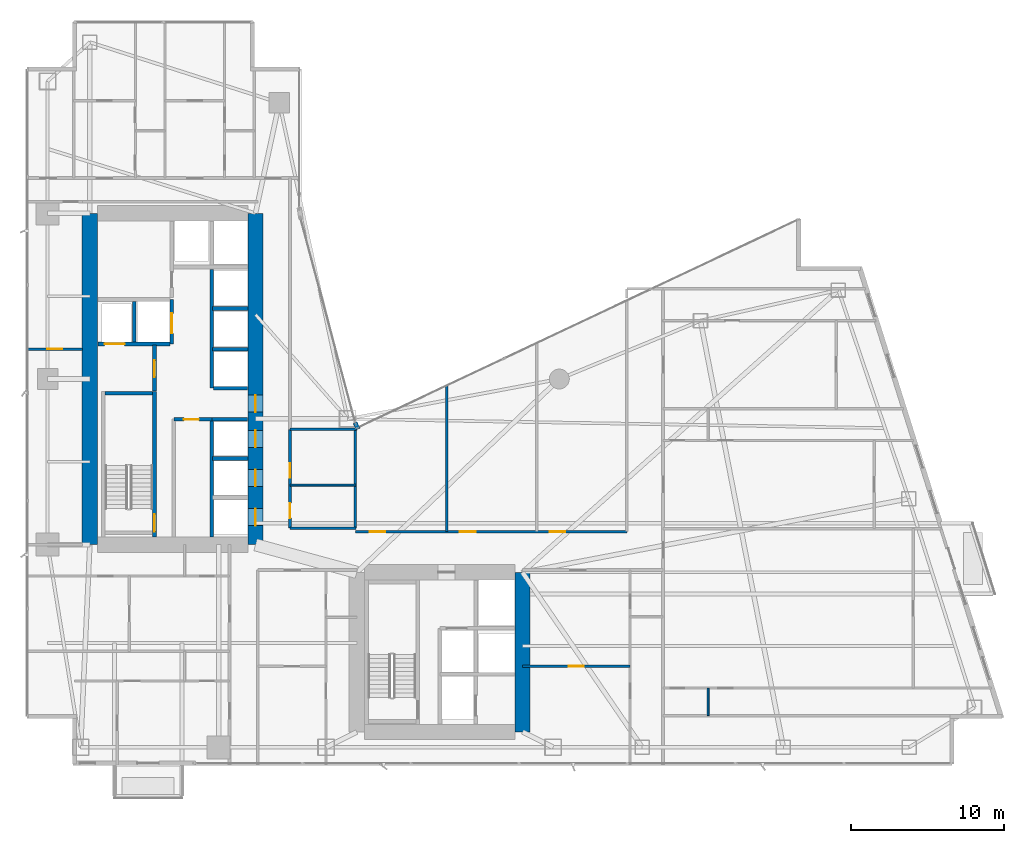
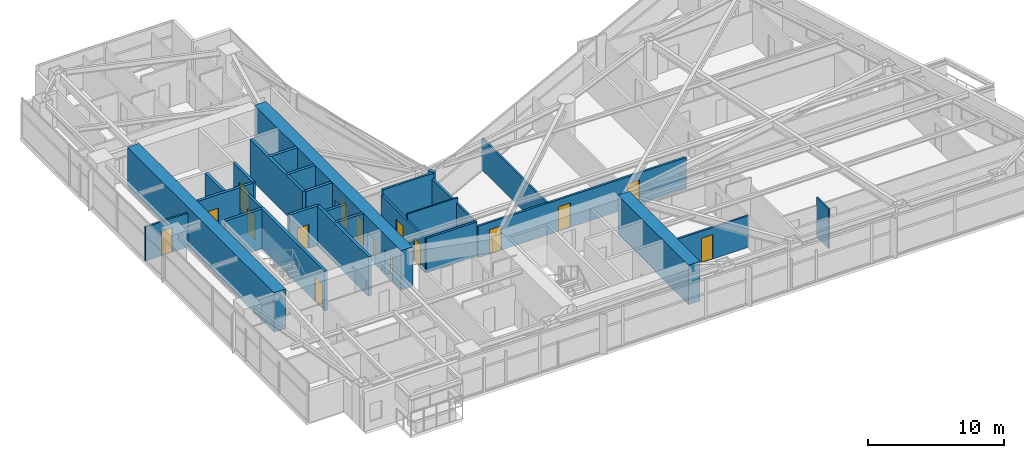
# One storey, part 23 of 29: 28 walls, 16 doors, 16 openings.
"""IFC4 building model written with IfcOpenShell, lengths in metres."""

from ifc_helpers import new_model, si_unit, direction, frame, frame_2d, origin, place, context, subcontext, project, spatial, rectangle, extrude, material, layer, layer_set, type_object, element, fill, save


model = new_model("IFC4")

# Units and contexts
model_context = context("Model", 3, precision=1e-05, world=origin(), true_north=direction((0.0, 1.0)))
body_context = subcontext(model_context, "Body", "Model", "MODEL_VIEW")
ifc_project = project(units=[si_unit("LENGTHUNIT", "METRE"), si_unit("AREAUNIT", "SQUARE_METRE"), si_unit("VOLUMEUNIT", "CUBIC_METRE"), si_unit("PLANEANGLEUNIT", "RADIAN"), si_unit("MASSUNIT", "GRAM", prefix="KILO")], contexts=[model_context])

# Site, building, storey
site_placement = place(None, origin())
site = spatial("IfcSite", under=ifc_project, at=site_placement, CompositionType="ELEMENT")
building_placement = place(site_placement, origin())
building = spatial("IfcBuilding", under=site, at=building_placement, Name="Calvorn Quay Hotel", CompositionType="ELEMENT")
storey_placement = place(building_placement, frame((0.0, 0.0, 58.39990234375)))
storey = spatial("IfcBuildingStorey", under=building, at=storey_placement, Name="L13", CompositionType="ELEMENT", Elevation=58.39990234375)

# Wall
ifc_material_1 = material(Name="Concrete C60", Category="concrete")
ifc_layer_1 = layer(ifc_material_1, 1.0)
ifc_layer_set_1 = layer_set([ifc_layer_1], Name="WL-CORE-1000")
wall_type_1 = type_object("IfcWallType", Name="WL-CORE-1000", PredefinedType="SHEAR", material=ifc_layer_set_1)
wall_1_placement = place(storey_placement, frame((4.199951171875, 16.800048828125, 0.0), z_axis=(0.0, 0.0, 1.0), x_axis=(0.0, 1.0, 0.0)))
element("IfcWall", 1, at=wall_1_placement, inside=storey, type_object=wall_type_1, Name="West Core Shear Wall W (L13)", PredefinedType="SHEAR", context=body_context, shape_type="SweptSolid", body=[
    extrude(rectangle(XDim=21.599853515625, YDim=1.0, at=frame_2d((10.7998046875, 0.0))), origin(), (0.0, 0.0, 1.0), 3.56005859375),
])

# Wall, openings, doors
wall_2_placement = place(storey_placement, frame((15.0, 16.800048828125, 0.0), z_axis=(0.0, 0.0, 1.0), x_axis=(0.0, 1.0, 0.0)))
wall_2 = element("IfcWall", 2, at=wall_2_placement, inside=storey, type_object=wall_type_1, Name="West Core Shear Wall E (L13)", PredefinedType="SHEAR", context=body_context, shape_type="SweptSolid", body=[
    extrude(rectangle(XDim=21.599853515625, YDim=1.0, at=frame_2d((10.7998046875, 0.0))), origin(), (0.0, 0.0, 1.0), 3.56005859375),
])
opening_1_placement = place(wall_2_placement, frame((8.64990234375, 0.0, 0.0)))
opening_1 = element("IfcOpeningElement", 3, at=opening_1_placement, cuts=wall_2, Name="Opening D-L13-CW1", PredefinedType="OPENING", context=body_context, shape_type="SweptSolid", body=[
    extrude(rectangle(XDim=1.10009765625, YDim=2.199951171875, at=frame_2d((0.550048828125, 1.10009765625))), frame((0.0, 0.510009765625, 0.0), z_axis=(0.0, -1.0, 0.0), x_axis=(1.0, 0.0, 0.0)), (0.0, 0.0, 1.0), 1.02001953125),
])
opening_2_placement = place(wall_2_placement, frame((1.25, 0.0, 0.0)))
opening_2 = element("IfcOpeningElement", 4, at=opening_2_placement, cuts=wall_2, Name="Opening LD-L13-L1", PredefinedType="OPENING", context=body_context, shape_type="SweptSolid", body=[
    extrude(rectangle(XDim=1.10009765625, YDim=2.199951171875, at=frame_2d((0.550048828125, 1.10009765625))), frame((0.0, 0.510009765625, 0.0), z_axis=(0.0, -1.0, 0.0), x_axis=(1.0, 0.0, 0.0)), (0.0, 0.0, 1.0), 1.02001953125),
])
opening_3_placement = place(wall_2_placement, frame((3.800048828125, 0.0, 0.0)))
opening_3 = element("IfcOpeningElement", 5, at=opening_3_placement, cuts=wall_2, Name="Opening LD-L13-L2", PredefinedType="OPENING", context=body_context, shape_type="SweptSolid", body=[
    extrude(rectangle(XDim=1.10009765625, YDim=2.199951171875, at=frame_2d((0.550048828125, 1.10009765625))), frame((0.0, 0.510009765625, 0.0), z_axis=(0.0, -1.0, 0.0), x_axis=(1.0, 0.0, 0.0)), (0.0, 0.0, 1.0), 1.02001953125),
])
opening_4_placement = place(wall_2_placement, frame((6.35009765625, 0.0, 0.0)))
opening_4 = element("IfcOpeningElement", 6, at=opening_4_placement, cuts=wall_2, Name="Opening LD-L13-L3", PredefinedType="OPENING", context=body_context, shape_type="SweptSolid", body=[
    extrude(rectangle(XDim=1.10009765625, YDim=2.199951171875, at=frame_2d((0.550048828125, 1.10009765625))), frame((0.0, 0.510009765625, 0.0), z_axis=(0.0, -1.0, 0.0), x_axis=(1.0, 0.0, 0.0)), (0.0, 0.0, 1.0), 1.02001953125),
])
ifc_material_2 = material(Name="Smoke-Sealed Steel Class A Fire Door", Category="steel")
door_type_1 = type_object("IfcDoorType", Name="DR-FFLOBBY-1100", OperationType="NOTDEFINED", PredefinedType="DOOR", material=ifc_material_2)
door_1_placement = place(opening_1_placement, origin())
door_1 = element("IfcDoor", 7, at=door_1_placement, inside=storey, type_object=door_type_1, Name="West Core Vestibule Fire Door (L13)", OperationType="SINGLE_SWING_RIGHT", OverallHeight=2.199951171875, OverallWidth=1.10009765625, PredefinedType="DOOR", context=body_context, shape_type="SweptSolid", body=[
    extrude(rectangle(XDim=1.10009765625, YDim=2.199951171875, at=frame_2d((0.550048828125, 1.10009765625))), frame((0.0, 0.02490234375, 0.0), z_axis=(0.0, -1.0, 0.0), x_axis=(1.0, 0.0, 0.0)), (0.0, 0.0, 1.0), 0.050048828125),
])
fill(opening_1, door_1)
ifc_material_3 = material(Name="Brushed Stainless Steel Sliding Lift Landing Door", Category="steel")
door_type_2 = type_object("IfcDoorType", Name="DR-LIFT-PASS-1100", OperationType="NOTDEFINED", PredefinedType="DOOR", material=ifc_material_3)
door_2_placement = place(opening_2_placement, origin())
door_2 = element("IfcDoor", 8, at=door_2_placement, inside=storey, type_object=door_type_2, Name="Low-Rise Lift PL-L1 Landing Door (L13)", OperationType="DOUBLE_DOOR_SLIDING", OverallHeight=2.199951171875, OverallWidth=1.10009765625, PredefinedType="DOOR", context=body_context, shape_type="SweptSolid", body=[
    extrude(rectangle(XDim=1.10009765625, YDim=2.199951171875, at=frame_2d((0.550048828125, 1.10009765625))), frame((0.0, 0.02490234375, 0.0), z_axis=(0.0, -1.0, 0.0), x_axis=(1.0, 0.0, 0.0)), (0.0, 0.0, 1.0), 0.050048828125),
])
fill(opening_2, door_2)
door_3_placement = place(opening_3_placement, origin())
door_3 = element("IfcDoor", 9, at=door_3_placement, inside=storey, type_object=door_type_2, Name="Low-Rise Lift PL-L2 Landing Door (L13)", OperationType="DOUBLE_DOOR_SLIDING", OverallHeight=2.199951171875, OverallWidth=1.10009765625, PredefinedType="DOOR", context=body_context, shape_type="SweptSolid", body=[
    extrude(rectangle(XDim=1.10009765625, YDim=2.199951171875, at=frame_2d((0.550048828125, 1.10009765625))), frame((0.0, 0.02490234375, 0.0), z_axis=(0.0, -1.0, 0.0), x_axis=(1.0, 0.0, 0.0)), (0.0, 0.0, 1.0), 0.050048828125),
])
fill(opening_3, door_3)
door_4_placement = place(opening_4_placement, origin())
door_4 = element("IfcDoor", 10, at=door_4_placement, inside=storey, type_object=door_type_2, Name="Low-Rise Lift PL-L3 Landing Door (L13)", OperationType="DOUBLE_DOOR_SLIDING", OverallHeight=2.199951171875, OverallWidth=1.10009765625, PredefinedType="DOOR", context=body_context, shape_type="SweptSolid", body=[
    extrude(rectangle(XDim=1.10009765625, YDim=2.199951171875, at=frame_2d((0.550048828125, 1.10009765625))), frame((0.0, 0.02490234375, 0.0), z_axis=(0.0, -1.0, 0.0), x_axis=(1.0, 0.0, 0.0)), (0.0, 0.0, 1.0), 0.050048828125),
])
fill(opening_4, door_4)

# Walls
wall_3_placement = place(storey_placement, frame((32.39990234375, 4.60009765625, 0.0), z_axis=(0.0, 0.0, 1.0), x_axis=(0.0, 1.0, 0.0)))
element("IfcWall", 11, at=wall_3_placement, inside=storey, type_object=wall_type_1, Name="East Core Shear Wall E (L13)", PredefinedType="SHEAR", context=body_context, shape_type="SweptSolid", body=[
    extrude(rectangle(XDim=10.39990234375, YDim=1.0, at=frame_2d((5.199951171875, 0.0))), origin(), (0.0, 0.0, 1.0), 3.56005859375),
])
ifc_material_4 = material(Name="Acoustic Fireboard Steel-Stud Partition", Category="steel")
ifc_layer_2 = layer(ifc_material_4, 0.179931640625)
ifc_layer_set_2 = layer_set([ifc_layer_2], Name="WL-CORR-FIRE-180")
wall_type_2 = type_object("IfcWallType", Name="WL-CORR-FIRE-180", PredefinedType="PARTITIONING", material=ifc_layer_set_2)
wall_4_placement = place(storey_placement, frame((17.25, 17.8798828125, 0.0), z_axis=(0.0, 0.0, 1.0), x_axis=(1.0, 0.0, 0.0)))
element("IfcWall", 12, at=wall_4_placement, inside=storey, type_object=wall_type_2, Name="Partition Wall L13-WL-HK-S", PredefinedType="PARTITIONING", context=body_context, shape_type="SweptSolid", body=[
    extrude(rectangle(XDim=4.300048828125, YDim=0.179931640625, at=frame_2d((2.14990234375, 0.0))), origin(), (0.0, 0.0, 1.0), 3.090087890625),
])
wall_5_placement = place(storey_placement, frame((17.25, 24.320068359375, 0.0), z_axis=(0.0, 0.0, 1.0), x_axis=(1.0, 0.0, 0.0)))
element("IfcWall", 13, at=wall_5_placement, inside=storey, type_object=wall_type_2, Name="Partition Wall L13-WL-HK-N", PredefinedType="PARTITIONING", context=body_context, shape_type="SweptSolid", body=[
    extrude(rectangle(XDim=4.35009765625, YDim=0.179931640625, at=frame_2d((2.175048828125, 0.0))), origin(), (0.0, 0.0, 1.0), 3.56005859375),
])
wall_6_placement = place(storey_placement, frame((21.5, 17.8798828125, 0.0), z_axis=(0.0, 0.0, 1.0), x_axis=(0.0, 1.0, 0.0)))
element("IfcWall", 14, at=wall_6_placement, inside=storey, type_object=wall_type_2, Name="Partition Wall L13-WL-HK-E", PredefinedType="PARTITIONING", context=body_context, shape_type="SweptSolid", body=[
    extrude(rectangle(XDim=6.440185546875, YDim=0.179931640625, at=frame_2d((3.22021484375, 0.0))), origin(), (0.0, 0.0, 1.0), 3.090087890625),
])

# Wall, openings, doors
wall_7_placement = place(storey_placement, frame((17.25, 17.8798828125, 0.0), z_axis=(0.0, 0.0, 1.0), x_axis=(0.0, 1.0, 0.0)))
wall_7 = element("IfcWall", 15, at=wall_7_placement, inside=storey, type_object=wall_type_2, Name="Partition Wall L13-WL-HK-W", PredefinedType="PARTITIONING", context=body_context, shape_type="SweptSolid", body=[
    extrude(rectangle(XDim=6.440185546875, YDim=0.179931640625, at=frame_2d((3.22021484375, 0.0))), origin(), (0.0, 0.0, 1.0), 3.090087890625),
])
opening_5_placement = place(wall_7_placement, frame((0.64990234375, 0.0, 0.0)))
opening_5 = element("IfcOpeningElement", 16, at=opening_5_placement, cuts=wall_7, Name="Opening D-L13-HK", PredefinedType="OPENING", context=body_context, shape_type="SweptSolid", body=[
    extrude(rectangle(XDim=0.97998046875, YDim=2.14990234375, at=frame_2d((0.489990234375, 1.074951171875))), frame((0.0, 0.099853515625, 0.0), z_axis=(0.0, -1.0, 0.0), x_axis=(1.0, 0.0, 0.0)), (0.0, 0.0, 1.0), 0.199951171875),
])
opening_6_placement = place(wall_7_placement, frame((3.27001953125, 0.0, 0.0)))
opening_6 = element("IfcOpeningElement", 17, at=opening_6_placement, cuts=wall_7, Name="Opening D-L13-NCP", PredefinedType="OPENING", context=body_context, shape_type="SweptSolid", body=[
    extrude(rectangle(XDim=0.9599609375, YDim=2.199951171875, at=frame_2d((0.47998046875, 1.10009765625))), frame((0.0, 0.099853515625, 0.0), z_axis=(0.0, -1.0, 0.0), x_axis=(1.0, 0.0, 0.0)), (0.0, 0.0, 1.0), 0.199951171875),
])
ifc_material_5 = material(Name="Painted Steel Housekeeping/Riser Fire Door", Category="steel")
door_type_3 = type_object("IfcDoorType", Name="DR-SERVICE-980", OperationType="NOTDEFINED", PredefinedType="DOOR", material=ifc_material_5)
door_5_placement = place(opening_5_placement, origin())
door_5 = element("IfcDoor", 18, at=door_5_placement, inside=storey, type_object=door_type_3, Name="Floor Housekeeping Door (L13)", OperationType="SINGLE_SWING_LEFT", OverallHeight=2.14990234375, OverallWidth=0.97998046875, PredefinedType="DOOR", context=body_context, shape_type="SweptSolid", body=[
    extrude(rectangle(XDim=0.97998046875, YDim=2.14990234375, at=frame_2d((0.489990234375, 1.074951171875))), frame((0.0, 0.02490234375, 0.0), z_axis=(0.0, -1.0, 0.0), x_axis=(1.0, 0.0, 0.0)), (0.0, 0.0, 1.0), 0.050048828125),
])
fill(opening_5, door_5)
ifc_material_6 = material(Name="Solid Timber Internal Suite Door", Category="wood")
door_type_4 = type_object("IfcDoorType", Name="DR-SUITE-INT-960", OperationType="NOTDEFINED", PredefinedType="DOOR", material=ifc_material_6)
door_6_placement = place(opening_6_placement, origin())
door_6 = element("IfcDoor", 19, at=door_6_placement, inside=storey, type_object=door_type_4, Name="Reading Alcove Door (L13)", OperationType="SINGLE_SWING_RIGHT", OverallHeight=2.199951171875, OverallWidth=0.9599609375, PredefinedType="DOOR", context=body_context, shape_type="SweptSolid", body=[
    extrude(rectangle(XDim=0.9599609375, YDim=2.199951171875, at=frame_2d((0.47998046875, 1.10009765625))), frame((0.0, 0.02490234375, 0.0), z_axis=(0.0, -1.0, 0.0), x_axis=(1.0, 0.0, 0.0)), (0.0, 0.0, 1.0), 0.050048828125),
])
fill(opening_6, door_6)

wall_8_placement = place(storey_placement, frame((21.5, 17.64990234375, 0.0), z_axis=(0.0, 0.0, 1.0), x_axis=(1.0, 0.0, 0.0)))
wall_8 = element("IfcWall", 20, at=wall_8_placement, inside=storey, type_object=wall_type_2, Name="Partition Wall L13-WL-CORR-NE-N", PredefinedType="PARTITIONING", context=body_context, shape_type="SweptSolid", body=[
    extrude(rectangle(XDim=17.699951171875, YDim=0.179931640625, at=frame_2d((8.85009765625, 0.0))), origin(), (0.0, 0.0, 1.0), 2.840087890625),
])
opening_7_placement = place(wall_8_placement, frame((0.949951171875, 0.0, 0.0)))
opening_7 = element("IfcOpeningElement", 21, at=opening_7_placement, cuts=wall_8, Name="Opening D-L13-NS1", PredefinedType="OPENING", context=body_context, shape_type="SweptSolid", body=[
    extrude(rectangle(XDim=1.02001953125, YDim=2.199951171875, at=frame_2d((0.510009765625, 1.10009765625))), frame((0.0, 0.099853515625, 0.0), z_axis=(0.0, -1.0, 0.0), x_axis=(1.0, 0.0, 0.0)), (0.0, 0.0, 1.0), 0.199951171875),
])
opening_8_placement = place(wall_8_placement, frame((6.820068359375, 0.0, 0.0)))
opening_8 = element("IfcOpeningElement", 22, at=opening_8_placement, cuts=wall_8, Name="Opening D-L13-NS2", PredefinedType="OPENING", context=body_context, shape_type="SweptSolid", body=[
    extrude(rectangle(XDim=1.02001953125, YDim=2.199951171875, at=frame_2d((0.510009765625, 1.10009765625))), frame((0.0, 0.099853515625, 0.0), z_axis=(0.0, -1.0, 0.0), x_axis=(1.0, 0.0, 0.0)), (0.0, 0.0, 1.0), 0.199951171875),
])
opening_9_placement = place(wall_8_placement, frame((12.679931640625, 0.0, 0.0)))
opening_9 = element("IfcOpeningElement", 23, at=opening_9_placement, cuts=wall_8, Name="Opening D-L13-NS3", PredefinedType="OPENING", context=body_context, shape_type="SweptSolid", body=[
    extrude(rectangle(XDim=1.02001953125, YDim=2.199951171875, at=frame_2d((0.510009765625, 1.10009765625))), frame((0.0, 0.099853515625, 0.0), z_axis=(0.0, -1.0, 0.0), x_axis=(1.0, 0.0, 0.0)), (0.0, 0.0, 1.0), 0.199951171875),
])
ifc_material_7 = material(Name="Solid-Core Walnut Veneer Hotel Fire Door")
door_type_5 = type_object("IfcDoorType", Name="DR-GUEST-ENTRY-1020", OperationType="NOTDEFINED", PredefinedType="DOOR", material=ifc_material_7)
door_7_placement = place(opening_7_placement, origin())
door_7 = element("IfcDoor", 24, at=door_7_placement, inside=storey, type_object=door_type_5, Name="Conservatory Salon Door 1 (L13)", OperationType="SINGLE_SWING_RIGHT", OverallHeight=2.199951171875, OverallWidth=1.02001953125, PredefinedType="DOOR", context=body_context, shape_type="SweptSolid", body=[
    extrude(rectangle(XDim=1.02001953125, YDim=2.199951171875, at=frame_2d((0.510009765625, 1.10009765625))), frame((0.0, 0.02490234375, 0.0), z_axis=(0.0, -1.0, 0.0), x_axis=(1.0, 0.0, 0.0)), (0.0, 0.0, 1.0), 0.050048828125),
])
fill(opening_7, door_7)
door_8_placement = place(opening_8_placement, origin())
door_8 = element("IfcDoor", 25, at=door_8_placement, inside=storey, type_object=door_type_5, Name="Conservatory Salon Door 2 (L13)", OperationType="SINGLE_SWING_LEFT", OverallHeight=2.199951171875, OverallWidth=1.02001953125, PredefinedType="DOOR", context=body_context, shape_type="SweptSolid", body=[
    extrude(rectangle(XDim=1.02001953125, YDim=2.199951171875, at=frame_2d((0.510009765625, 1.10009765625))), frame((0.0, 0.02490234375, 0.0), z_axis=(0.0, -1.0, 0.0), x_axis=(1.0, 0.0, 0.0)), (0.0, 0.0, 1.0), 0.050048828125),
])
fill(opening_8, door_8)
door_9_placement = place(opening_9_placement, origin())
door_9 = element("IfcDoor", 26, at=door_9_placement, inside=storey, type_object=door_type_5, Name="Conservatory Salon Door 3 (L13)", OperationType="SINGLE_SWING_RIGHT", OverallHeight=2.199951171875, OverallWidth=1.02001953125, PredefinedType="DOOR", context=body_context, shape_type="SweptSolid", body=[
    extrude(rectangle(XDim=1.02001953125, YDim=2.199951171875, at=frame_2d((0.510009765625, 1.10009765625))), frame((0.0, 0.02490234375, 0.0), z_axis=(0.0, -1.0, 0.0), x_axis=(1.0, 0.0, 0.0)), (0.0, 0.0, 1.0), 0.050048828125),
])
fill(opening_9, door_9)

# Walls
ifc_material_8 = material(Name="Moisture-Resistant Tile-Backed Partition")
ifc_layer_3 = layer(ifc_material_8, 0.125)
ifc_layer_set_3 = layer_set([ifc_layer_3], Name="WL-ENSUITE-125")
wall_type_3 = type_object("IfcWallType", Name="WL-ENSUITE-125", PredefinedType="PARTITIONING", material=ifc_layer_set_3)
wall_9_placement = place(storey_placement, frame((17.25, 20.679931640625, 0.0), z_axis=(0.0, 0.0, 1.0), x_axis=(1.0, 0.0, 0.0)))
element("IfcWall", 27, at=wall_9_placement, inside=storey, type_object=wall_type_3, Name="Partition Wall L13-WL-HK-M", PredefinedType="PARTITIONING", context=body_context, shape_type="SweptSolid", body=[
    extrude(rectangle(XDim=4.300048828125, YDim=0.125, at=frame_2d((2.14990234375, 0.0))), origin(), (0.0, 0.0, 1.0), 3.56005859375),
])
wall_10_placement = place(storey_placement, frame((44.5, 5.659912109375, 0.0), z_axis=(0.0, 0.0, 1.0), x_axis=(0.0, 1.0, 0.0)))
element("IfcWall", 28, at=wall_10_placement, inside=storey, type_object=wall_type_3, Name="Partition Wall L13-WL-U07-BDV", PredefinedType="PARTITIONING", context=body_context, shape_type="SweptSolid", body=[
    extrude(rectangle(XDim=1.7900390625, YDim=0.125, at=frame_2d((0.89501953125, 0.0))), origin(), (0.0, 0.0, 1.0), 3.56005859375),
])
ifc_material_9 = material(Name="Concrete C40", Category="concrete")
ifc_layer_4 = layer(ifc_material_9, 0.320068359375)
ifc_layer_set_4 = layer_set([ifc_layer_4], Name="WL-EXT-SPANDREL-320")
wall_type_4 = type_object("IfcWallType", Name="WL-EXT-SPANDREL-320", PredefinedType="SOLIDWALL", material=ifc_layer_set_4)
wall_11_placement = place(storey_placement, frame((21.679931640625, 24.340087890625, 0.0), z_axis=(0.0, 0.0, 1.0), x_axis=(-0.40758134973, 0.913168901875, 0.0)))
element("IfcWall", 29, at=wall_11_placement, inside=storey, type_object=wall_type_4, Name="Inner Court Corner Pier L13-ICJ1", PredefinedType="SOLIDWALL", context=body_context, shape_type="SweptSolid", body=[
    extrude(rectangle(XDim=0.470703125, YDim=0.280029296875, at=frame_2d((0.2353515625, 0.0))), origin(), (0.0, 0.0, 1.0), 3.56005859375),
])

# Wall, opening, door
ifc_material_10 = material(Name="Double-Stud Acoustic Gypsum Partition")
ifc_layer_5 = layer(ifc_material_10, 0.159912109375)
ifc_layer_set_5 = layer_set([ifc_layer_5], Name="WL-INTERSUITE-160")
wall_type_5 = type_object("IfcWallType", Name="WL-INTERSUITE-160", PredefinedType="PARTITIONING", material=ifc_layer_set_5)
wall_12_placement = place(storey_placement, frame((0.080078125, 29.550048828125, 0.0), z_axis=(0.0, 0.0, 1.0), x_axis=(1.0, 0.0, 0.0)))
wall_12 = element("IfcWall", 30, at=wall_12_placement, inside=storey, type_object=wall_type_5, Name="Partition Wall L13-WL-WBAY-DIV", PredefinedType="PARTITIONING", context=body_context, shape_type="SweptSolid", body=[
    extrude(rectangle(XDim=3.64990234375, YDim=0.159912109375, at=frame_2d((1.824951171875, 0.0))), origin(), (0.0, 0.0, 1.0), 3.0400390625),
])
opening_10_placement = place(wall_12_placement, frame((1.35009765625, 0.0, 0.0)))
opening_10 = element("IfcOpeningElement", 31, at=opening_10_placement, cuts=wall_12, Name="Opening D-L13-WBD", PredefinedType="OPENING", context=body_context, shape_type="SweptSolid", body=[
    extrude(rectangle(XDim=0.9599609375, YDim=2.199951171875, at=frame_2d((0.47998046875, 1.10009765625))), frame((0.0, 0.08984375, 0.0), z_axis=(0.0, -1.0, 0.0), x_axis=(1.0, 0.0, 0.0)), (0.0, 0.0, 1.0), 0.179931640625),
])
door_10_placement = place(opening_10_placement, origin())
door_10 = element("IfcDoor", 32, at=door_10_placement, inside=storey, type_object=door_type_4, Name="West Bay Connecting Door (L13)", OperationType="SINGLE_SWING_LEFT", OverallHeight=2.199951171875, OverallWidth=0.9599609375, PredefinedType="DOOR", context=body_context, shape_type="SweptSolid", body=[
    extrude(rectangle(XDim=0.9599609375, YDim=2.199951171875, at=frame_2d((0.47998046875, 1.10009765625))), frame((0.0, 0.02490234375, 0.0), z_axis=(0.0, -1.0, 0.0), x_axis=(1.0, 0.0, 0.0)), (0.0, 0.0, 1.0), 0.050048828125),
])
fill(opening_10, door_10)

wall_13_placement = place(storey_placement, frame((32.39990234375, 8.8798828125, 0.0), z_axis=(0.0, 0.0, 1.0), x_axis=(1.0, 0.0, 0.0)))
wall_13 = element("IfcWall", 33, at=wall_13_placement, inside=storey, type_object=wall_type_5, Name="Partition Wall L13-WL-U06-MSP", PredefinedType="PARTITIONING", context=body_context, shape_type="SweptSolid", body=[
    extrude(rectangle(XDim=7.02001953125, YDim=0.159912109375, at=frame_2d((3.510009765625, 0.0))), origin(), (0.0, 0.0, 1.0), 2.840087890625),
])
opening_11_placement = place(wall_13_placement, frame((3.030029296875, 0.0, 0.0)))
opening_11 = element("IfcOpeningElement", 34, at=opening_11_placement, cuts=wall_13, Name="Opening D-L13-M06", PredefinedType="OPENING", context=body_context, shape_type="SweptSolid", body=[
    extrude(rectangle(XDim=0.9599609375, YDim=2.199951171875, at=frame_2d((0.47998046875, 1.10009765625))), frame((0.0, 0.08984375, 0.0), z_axis=(0.0, -1.0, 0.0), x_axis=(1.0, 0.0, 0.0)), (0.0, 0.0, 1.0), 0.179931640625),
])
door_11_placement = place(opening_11_placement, origin())
door_11 = element("IfcDoor", 35, at=door_11_placement, inside=storey, type_object=door_type_4, Name="Suite Bedroom Door 06", OperationType="SINGLE_SWING_LEFT", OverallHeight=2.199951171875, OverallWidth=0.9599609375, PredefinedType="DOOR", context=body_context, shape_type="SweptSolid", body=[
    extrude(rectangle(XDim=0.9599609375, YDim=2.199951171875, at=frame_2d((0.47998046875, 1.10009765625))), frame((0.0, 0.02490234375, 0.0), z_axis=(0.0, -1.0, 0.0), x_axis=(1.0, 0.0, 0.0)), (0.0, 0.0, 1.0), 0.050048828125),
])
fill(opening_11, door_11)

# Wall
wall_14_placement = place(storey_placement, frame((27.469970703125, 17.64990234375, 0.0), z_axis=(0.0, 0.0, 1.0), x_axis=(0.0, 1.0, 0.0)))
element("IfcWall", 36, at=wall_14_placement, inside=storey, type_object=wall_type_5, Name="Partition Wall L13-WL-NE-DIV-1", PredefinedType="PARTITIONING", context=body_context, shape_type="SweptSolid", body=[
    extrude(rectangle(XDim=9.60009765625, YDim=0.159912109375, at=frame_2d((4.800048828125, 0.0))), origin(), (0.0, 0.0, 1.0), 2.840087890625),
])

# Wall, opening, door
ifc_material_11 = material(Name="Concrete C40", Category="concrete")
ifc_layer_6 = layer(ifc_material_11, 0.239990234375)
ifc_layer_set_6 = layer_set([ifc_layer_6], Name="WL-SHAFT-240")
wall_type_6 = type_object("IfcWallType", Name="WL-SHAFT-240", PredefinedType="SOLIDWALL", material=ifc_layer_set_6)
wall_15_placement = place(storey_placement, frame((8.419921875, 17.300048828125, 0.0), z_axis=(0.0, 0.0, 1.0), x_axis=(0.0, 1.0, 0.0)))
wall_15 = element("IfcWall", 37, at=wall_15_placement, inside=storey, type_object=wall_type_6, Name="Stair STW Shaft Wall E (L13)", PredefinedType="SOLIDWALL", context=body_context, shape_type="SweptSolid", body=[
    extrude(rectangle(XDim=9.489990234375, YDim=0.239990234375, at=frame_2d((4.7451171875, 0.0))), origin(), (0.0, 0.0, 1.0), 3.56005859375),
])
opening_12_placement = place(wall_15_placement, frame((0.35009765625, 0.0, 0.0)))
opening_12 = element("IfcOpeningElement", 38, at=opening_12_placement, cuts=wall_15, Name="Opening D-L13-STW", PredefinedType="OPENING", context=body_context, shape_type="SweptSolid", body=[
    extrude(rectangle(XDim=1.14990234375, YDim=2.199951171875, at=frame_2d((0.574951171875, 1.10009765625))), frame((0.0, 0.1298828125, 0.0), z_axis=(0.0, -1.0, 0.0), x_axis=(1.0, 0.0, 0.0)), (0.0, 0.0, 1.0), 0.260009765625),
])
ifc_material_12 = material(Name="Galvanised Steel Class A Fire Door", Category="steel")
door_type_6 = type_object("IfcDoorType", Name="DR-STAIR-SMOKE-1150", OperationType="NOTDEFINED", PredefinedType="DOOR", material=ifc_material_12)
door_12_placement = place(opening_12_placement, origin())
door_12 = element("IfcDoor", 39, at=door_12_placement, inside=storey, type_object=door_type_6, Name="Stair ST-W Fire Door (L13)", OperationType="SINGLE_SWING_LEFT", OverallHeight=2.199951171875, OverallWidth=1.14990234375, PredefinedType="DOOR", context=body_context, shape_type="SweptSolid", body=[
    extrude(rectangle(XDim=1.14990234375, YDim=2.199951171875, at=frame_2d((0.574951171875, 1.10009765625))), frame((0.0, 0.02490234375, 0.0), z_axis=(0.0, -1.0, 0.0), x_axis=(1.0, 0.0, 0.0)), (0.0, 0.0, 1.0), 0.050048828125),
])
fill(opening_12, door_12)

# Walls
wall_16_placement = place(storey_placement, frame((5.199951171875, 26.669921875, 0.0), z_axis=(0.0, 0.0, 1.0), x_axis=(1.0, 0.0, 0.0)))
element("IfcWall", 40, at=wall_16_placement, inside=storey, type_object=wall_type_6, Name="Stair STW Shaft Wall N (L13)", PredefinedType="SOLIDWALL", context=body_context, shape_type="SweptSolid", body=[
    extrude(rectangle(XDim=3.10009765625, YDim=0.239990234375, at=frame_2d((1.550048828125, 0.0))), origin(), (0.0, 0.0, 1.0), 3.56005859375),
])
for number, where, z_axis, x_axis, name in (
    (41, (12.179931640625, 22.425048828125, 0.0), (0.0, 0.0, 1.0), (1.0, 0.0, 0.0), "Lift Hoistway Divider Wall PLL23 (L13)"),
    (42, (12.179931640625, 29.550048828125, 0.0), (0.0, 0.0, 1.0), (1.0, 0.0, 0.0), "Lift Hoistway Divider Wall PLM12 (L13)"),
    (43, (12.179931640625, 32.199951171875, 0.0), (0.0, 0.0, 1.0), (1.0, 0.0, 0.0), "Lift Hoistway Divider Wall PLM23 (L13)"),
):
    element("IfcWall", number, at=place(storey_placement, frame(where, z_axis=z_axis, x_axis=x_axis)), inside=storey, type_object=wall_type_6, Name=name, PredefinedType="SOLIDWALL", context=body_context, shape_type="SweptSolid", body=[
        extrude(rectangle(XDim=2.320068359375, YDim=0.239990234375, at=frame_2d((1.16015625, 0.0))), origin(), (0.0, 0.0, 1.0), 3.56005859375),
    ])

# Wall, opening, door
wall_17_placement = place(storey_placement, frame((8.419921875, 26.820068359375, 0.0), z_axis=(0.0, 0.0, 1.0), x_axis=(0.0, 1.0, 0.0)))
wall_17 = element("IfcWall", 44, at=wall_17_placement, inside=storey, type_object=wall_type_6, Name="Partition Wall L13-WL-CWW-FFL-E", PredefinedType="SOLIDWALL", context=body_context, shape_type="SweptSolid", body=[
    extrude(rectangle(XDim=3.0, YDim=0.239990234375, at=frame_2d((1.5, 0.0))), origin(), (0.0, 0.0, 1.0), 3.56005859375),
])
opening_13_placement = place(wall_17_placement, frame((0.89990234375, 0.0, 0.0)))
opening_13 = element("IfcOpeningElement", 45, at=opening_13_placement, cuts=wall_17, Name="Opening D-L13-FLW", PredefinedType="OPENING", context=body_context, shape_type="SweptSolid", body=[
    extrude(rectangle(XDim=1.10009765625, YDim=2.199951171875, at=frame_2d((0.550048828125, 1.10009765625))), frame((0.0, 0.1298828125, 0.0), z_axis=(0.0, -1.0, 0.0), x_axis=(1.0, 0.0, 0.0)), (0.0, 0.0, 1.0), 0.260009765625),
])
door_13_placement = place(opening_13_placement, origin())
door_13 = element("IfcDoor", 46, at=door_13_placement, inside=storey, type_object=door_type_1, Name="West Firefighting Lobby Fire Door (L13)", OperationType="SINGLE_SWING_RIGHT", OverallHeight=2.199951171875, OverallWidth=1.10009765625, PredefinedType="DOOR", context=body_context, shape_type="SweptSolid", body=[
    extrude(rectangle(XDim=1.10009765625, YDim=2.199951171875, at=frame_2d((0.550048828125, 1.10009765625))), frame((0.0, 0.02490234375, 0.0), z_axis=(0.0, -1.0, 0.0), x_axis=(1.0, 0.0, 0.0)), (0.0, 0.0, 1.0), 0.050048828125),
])
fill(opening_13, door_13)

wall_18_placement = place(storey_placement, frame((4.719970703125, 29.8798828125, 0.0), z_axis=(0.0, 0.0, 1.0), x_axis=(1.0, 0.0, 0.0)))
wall_18 = element("IfcWall", 47, at=wall_18_placement, inside=storey, type_object=wall_type_6, Name="Partition Wall L13-WL-CWW-FLW-S", PredefinedType="SOLIDWALL", context=body_context, shape_type="SweptSolid", body=[
    extrude(rectangle(XDim=4.699951171875, YDim=0.239990234375, at=frame_2d((2.35009765625, 0.0))), origin(), (0.0, 0.0, 1.0), 3.56005859375),
])
opening_14_placement = place(wall_18_placement, frame((0.449951171875, 0.0, 0.0)))
opening_14 = element("IfcOpeningElement", 48, at=opening_14_placement, cuts=wall_18, Name="Opening LD-L13-FLW1", PredefinedType="OPENING", context=body_context, shape_type="SweptSolid", body=[
    extrude(rectangle(XDim=1.300048828125, YDim=2.35009765625, at=frame_2d((0.64990234375, 1.175048828125))), frame((0.0, 0.1298828125, 0.0), z_axis=(0.0, -1.0, 0.0), x_axis=(1.0, 0.0, 0.0)), (0.0, 0.0, 1.0), 0.260009765625),
])
ifc_material_13 = material(Name="Champagne-Bronze Sliding Express Lift Landing Door")
door_type_7 = type_object("IfcDoorType", Name="DR-LIFT-SHUTTLE-1300", OperationType="NOTDEFINED", PredefinedType="DOOR", material=ifc_material_13)
door_14_placement = place(opening_14_placement, origin())
door_14 = element("IfcDoor", 49, at=door_14_placement, inside=storey, type_object=door_type_7, Name="Firefighting Lift FL-W1 Landing Door (L13)", OperationType="DOUBLE_DOOR_SLIDING", OverallHeight=2.35009765625, OverallWidth=1.300048828125, PredefinedType="DOOR", context=body_context, shape_type="SweptSolid", body=[
    extrude(rectangle(XDim=1.300048828125, YDim=2.35009765625, at=frame_2d((0.64990234375, 1.175048828125))), frame((0.0, 0.02490234375, 0.0), z_axis=(0.0, -1.0, 0.0), x_axis=(1.0, 0.0, 0.0)), (0.0, 0.0, 1.0), 0.050048828125),
])
fill(opening_14, door_14)

# Wall
wall_19_placement = place(storey_placement, frame((7.10009765625, 30.02001953125, 0.0), z_axis=(0.0, 0.0, 1.0), x_axis=(0.0, 1.0, 0.0)))
element("IfcWall", 50, at=wall_19_placement, inside=storey, type_object=wall_type_6, Name="Partition Wall L13-WL-CWW-FLW-DIV", PredefinedType="SOLIDWALL", context=body_context, shape_type="SweptSolid", body=[
    extrude(rectangle(XDim=2.6298828125, YDim=0.239990234375, at=frame_2d((1.31494140625, 0.0))), origin(), (0.0, 0.0, 1.0), 3.56005859375),
])

# Wall, opening, door
wall_20_placement = place(storey_placement, frame((9.5400390625, 29.8798828125, 0.0), z_axis=(0.0, 0.0, 1.0), x_axis=(0.0, 1.0, 0.0)))
wall_20 = element("IfcWall", 51, at=wall_20_placement, inside=storey, type_object=wall_type_6, Name="Partition Wall L13-WL-CWW-SLW-E", PredefinedType="SOLIDWALL", context=body_context, shape_type="SweptSolid", body=[
    extrude(rectangle(XDim=2.900146484375, YDim=0.239990234375, at=frame_2d((1.4501953125, 0.0))), origin(), (0.0, 0.0, 1.0), 3.56005859375),
])
opening_15_placement = place(wall_20_placement, frame((0.699951171875, 0.0, 0.0)))
opening_15 = element("IfcOpeningElement", 52, at=opening_15_placement, cuts=wall_20, Name="Opening LD-L13-SLW1", PredefinedType="OPENING", context=body_context, shape_type="SweptSolid", body=[
    extrude(rectangle(XDim=1.300048828125, YDim=2.35009765625, at=frame_2d((0.64990234375, 1.175048828125))), frame((0.0, 0.1298828125, 0.0), z_axis=(0.0, -1.0, 0.0), x_axis=(1.0, 0.0, 0.0)), (0.0, 0.0, 1.0), 0.260009765625),
])
door_15_placement = place(opening_15_placement, origin())
door_15 = element("IfcDoor", 53, at=door_15_placement, inside=storey, type_object=door_type_7, Name="Service Lift SL-W1 Landing Door (L13)", OperationType="DOUBLE_DOOR_SLIDING", OverallHeight=2.35009765625, OverallWidth=1.300048828125, PredefinedType="DOOR", context=body_context, shape_type="SweptSolid", body=[
    extrude(rectangle(XDim=1.300048828125, YDim=2.35009765625, at=frame_2d((0.64990234375, 1.175048828125))), frame((0.0, 0.02490234375, 0.0), z_axis=(0.0, -1.0, 0.0), x_axis=(1.0, 0.0, 0.0)), (0.0, 0.0, 1.0), 0.050048828125),
])
fill(opening_15, door_15)

# Wall
wall_21_placement = place(storey_placement, frame((12.14990234375, 17.320068359375, 0.0), z_axis=(0.0, 0.0, 1.0), x_axis=(0.0, 1.0, 0.0)))
element("IfcWall", 54, at=wall_21_placement, inside=storey, type_object=wall_type_6, Name="Partition Wall L13-WL-CWW-PLL-W", PredefinedType="SOLIDWALL", context=body_context, shape_type="SweptSolid", body=[
    extrude(rectangle(XDim=7.64990234375, YDim=0.239990234375, at=frame_2d((3.824951171875, 0.0))), origin(), (0.0, 0.0, 1.0), 3.56005859375),
])

# Wall, opening, door
wall_22_placement = place(storey_placement, frame((9.679931640625, 24.969970703125, 0.0), z_axis=(0.0, 0.0, 1.0), x_axis=(1.0, 0.0, 0.0)))
wall_22 = element("IfcWall", 55, at=wall_22_placement, inside=storey, type_object=wall_type_6, Name="Partition Wall L13-WL-CWW-SER-N", PredefinedType="SOLIDWALL", context=body_context, shape_type="SweptSolid", body=[
    extrude(rectangle(XDim=2.469970703125, YDim=0.239990234375, at=frame_2d((1.23486328125, 0.0))), origin(), (0.0, 0.0, 1.0), 3.56005859375),
])
opening_16_placement = place(wall_22_placement, frame((0.64990234375, 0.0, 0.0)))
opening_16 = element("IfcOpeningElement", 56, at=opening_16_placement, cuts=wall_22, Name="Opening D-L13-CSR", PredefinedType="OPENING", context=body_context, shape_type="SweptSolid", body=[
    extrude(rectangle(XDim=0.97998046875, YDim=2.14990234375, at=frame_2d((0.489990234375, 1.074951171875))), frame((0.0, 0.1298828125, 0.0), z_axis=(0.0, -1.0, 0.0), x_axis=(1.0, 0.0, 0.0)), (0.0, 0.0, 1.0), 0.260009765625),
])
door_16_placement = place(opening_16_placement, origin())
door_16 = element("IfcDoor", 57, at=door_16_placement, inside=storey, type_object=door_type_3, Name="Core Service Closet Door (L13)", OperationType="SINGLE_SWING_LEFT", OverallHeight=2.14990234375, OverallWidth=0.97998046875, PredefinedType="DOOR", context=body_context, shape_type="SweptSolid", body=[
    extrude(rectangle(XDim=0.97998046875, YDim=2.14990234375, at=frame_2d((0.489990234375, 1.074951171875))), frame((0.0, 0.02490234375, 0.0), z_axis=(0.0, -1.0, 0.0), x_axis=(1.0, 0.0, 0.0)), (0.0, 0.0, 1.0), 0.050048828125),
])
fill(opening_16, door_16)

# Walls
wall_23_placement = place(storey_placement, frame((12.14990234375, 24.969970703125, 0.0), z_axis=(0.0, 0.0, 1.0), x_axis=(1.0, 0.0, 0.0)))
element("IfcWall", 58, at=wall_23_placement, inside=storey, type_object=wall_type_6, Name="Partition Wall L13-WL-CWW-PLL-SHN", PredefinedType="SOLIDWALL", context=body_context, shape_type="SweptSolid", body=[
    extrude(rectangle(XDim=2.330078125, YDim=0.239990234375, at=frame_2d((1.1650390625, 0.0))), origin(), (0.0, 0.0, 1.0), 2.840087890625),
])
wall_24_placement = place(storey_placement, frame((12.25, 27.0, 0.0), z_axis=(0.0, 0.0, 1.0), x_axis=(1.0, 0.0, 0.0)))
element("IfcWall", 59, at=wall_24_placement, inside=storey, type_object=wall_type_6, Name="Partition Wall L13-WL-CWW-PLM-S", PredefinedType="SOLIDWALL", context=body_context, shape_type="SweptSolid", body=[
    extrude(rectangle(XDim=2.22998046875, YDim=0.239990234375, at=frame_2d((1.114990234375, 0.0))), origin(), (0.0, 0.0, 1.0), 3.56005859375),
])
wall_25_placement = place(storey_placement, frame((12.14990234375, 27.0, 0.0), z_axis=(0.0, 0.0, 1.0), x_axis=(0.0, 1.0, 0.0)))
element("IfcWall", 60, at=wall_25_placement, inside=storey, type_object=wall_type_6, Name="Partition Wall L13-WL-CWW-PLM-W", PredefinedType="SOLIDWALL", context=body_context, shape_type="SweptSolid", body=[
    extrude(rectangle(XDim=7.75, YDim=0.239990234375, at=frame_2d((3.875, 0.0))), origin(), (0.0, 0.0, 1.0), 3.56005859375),
])

save(model, "model.ifc")
